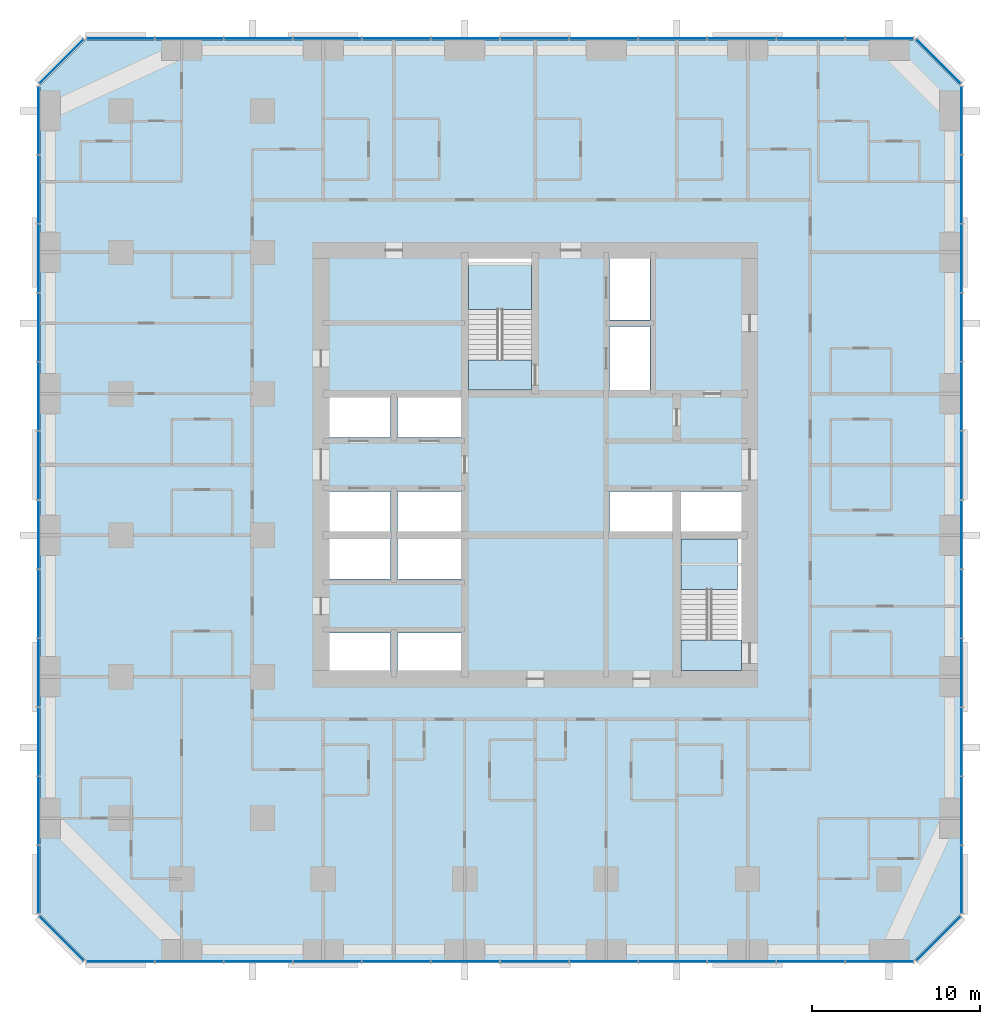
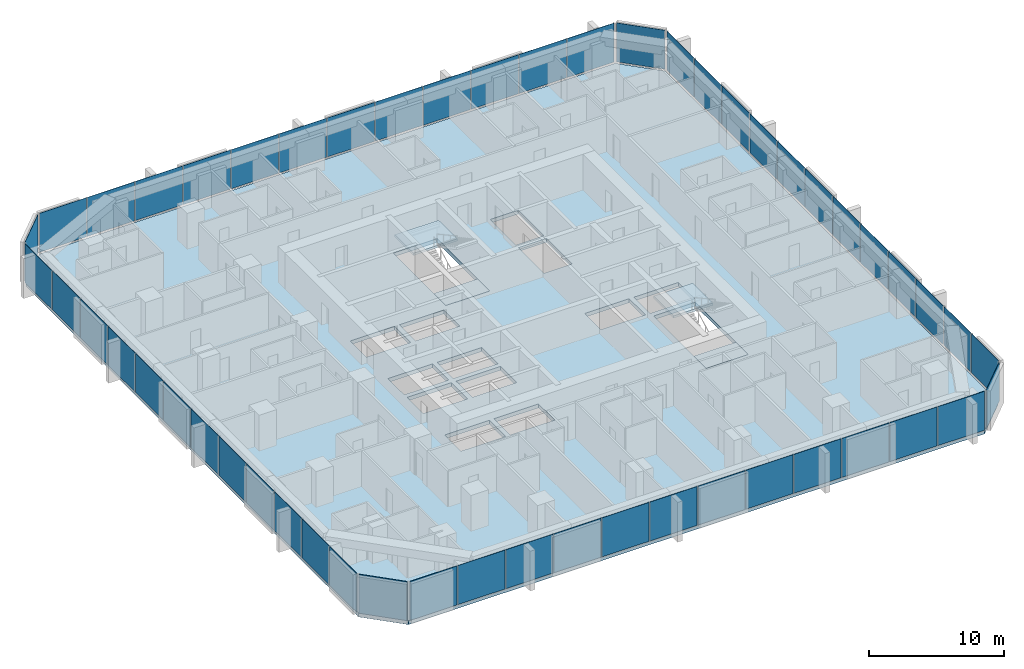
# One storey, part 7 of 14: 52 plates, 5 slabs, 10 elements without a shape of their own.
"""IFC4 building model written with IfcOpenShell, lengths in metres."""

from ifc_helpers import new_model, si_unit, direction, frame, origin, origin_2d, place, context, subcontext, project, spatial, polyline, rectangle, outline, extrude, material, layer, layer_set, type_object, element, aggregate, save


model = new_model("IFC4")

# Units and contexts
model_context = context("Model", 3, precision=1e-05, world=origin(), true_north=direction((0.0, 1.0)))
body_context = subcontext(model_context, "Body", "Model", "MODEL_VIEW")
ifc_project = project(units=[si_unit("LENGTHUNIT", "METRE"), si_unit("AREAUNIT", "SQUARE_METRE"), si_unit("VOLUMEUNIT", "CUBIC_METRE"), si_unit("PLANEANGLEUNIT", "RADIAN"), si_unit("MASSUNIT", "GRAM", prefix="KILO")], contexts=[model_context])

# Site, building, storey
site_placement = place(None, origin())
site = spatial("IfcSite", under=ifc_project, at=site_placement, CompositionType="ELEMENT")
building_placement = place(site_placement, origin())
building = spatial("IfcBuilding", under=site, at=building_placement, Name="Dunama Terrace Hotel", CompositionType="ELEMENT")
storey_placement = place(building_placement, frame((0.0, 0.0, 133.199951171875)))
storey = spatial("IfcBuildingStorey", under=building, at=storey_placement, Name="L34", CompositionType="ELEMENT", Elevation=133.199951171875)

# Curtain wall, plates
ifc_material_1 = material(Name="Aluminium curtain wall system", Category="aluminium")
curtain_wall_type = type_object("IfcCurtainWallType", Name="Unitised fritted glass wall CW-B", PredefinedType="NOTDEFINED", material=ifc_material_1)
curtain_wall_1_placement = place(storey_placement, origin())
curtain_wall_1 = element("IfcCurtainWall", 1, at=curtain_wall_1_placement, inside=storey, type_object=curtain_wall_type, Name="Unitised fritted glass wall CW-B L34", PredefinedType="NOTDEFINED")
ifc_material_2 = material(Name="Laminated glass", Category="glass")
ifc_layer_1 = layer(ifc_material_2, 0.030029296875)
ifc_layer_set_1 = layer_set([ifc_layer_1], Name="CWB clear glass panel")
plate_type_1 = type_object("IfcPlateType", Name="CWB clear glass panel", PredefinedType="CURTAIN_PANEL", material=ifc_layer_set_1)
plate_1_placement = place(storey_placement, frame((8.85009765625, -0.110107421875, 0.080078125), z_axis=(0.0, 0.0, 1.0), x_axis=(1.0, 0.0, 0.0)))
plate_1 = element("IfcPlate", 2, at=plate_1_placement, type_object=plate_type_1, Name="CWB clear glass panel", PredefinedType="CURTAIN_PANEL", context=body_context, shape_type="SweptSolid", body=[
    extrude(rectangle(XDim=4.034912109375, YDim=0.030029296875, at=origin_2d()), origin(), (0.0, 0.0, 1.0), 3.52001953125),
])
plate_2_placement = place(storey_placement, frame((21.14990234375, -0.110107421875, 0.080078125), z_axis=(0.0, 0.0, 1.0), x_axis=(1.0, 0.0, 0.0)))
plate_2 = element("IfcPlate", 3, at=plate_2_placement, type_object=plate_type_1, Name="CWB clear glass panel", PredefinedType="CURTAIN_PANEL", context=body_context, shape_type="SweptSolid", body=[
    extrude(rectangle(XDim=4.034912109375, YDim=0.030029296875, at=origin_2d()), origin(), (0.0, 0.0, 1.0), 3.52001953125),
])
plate_3_placement = place(storey_placement, frame((33.449951171875, -0.110107421875, 0.080078125), z_axis=(0.0, 0.0, 1.0), x_axis=(1.0, 0.0, 0.0)))
plate_3 = element("IfcPlate", 4, at=plate_3_placement, type_object=plate_type_1, Name="CWB clear glass panel", PredefinedType="CURTAIN_PANEL", context=body_context, shape_type="SweptSolid", body=[
    extrude(rectangle(XDim=4.034912109375, YDim=0.030029296875, at=origin_2d()), origin(), (0.0, 0.0, 1.0), 3.52001953125),
])
plate_4_placement = place(storey_placement, frame((45.75, -0.110107421875, 0.080078125), z_axis=(0.0, 0.0, 1.0), x_axis=(1.0, 0.0, 0.0)))
plate_4 = element("IfcPlate", 5, at=plate_4_placement, type_object=plate_type_1, Name="CWB clear glass panel", PredefinedType="CURTAIN_PANEL", context=body_context, shape_type="SweptSolid", body=[
    extrude(rectangle(XDim=4.034912109375, YDim=0.030029296875, at=origin_2d()), origin(), (0.0, 0.0, 1.0), 3.52001953125),
])

curtain_wall_2_placement = place(storey_placement, origin())
curtain_wall_2 = element("IfcCurtainWall", 6, at=curtain_wall_2_placement, inside=storey, type_object=curtain_wall_type, Name="Unitised fritted glass wall CW-B L34", PredefinedType="NOTDEFINED")
plate_5_placement = place(storey_placement, frame((54.7099609375, 4.76611328125, 0.080078125), z_axis=(0.0, 0.0, 1.0), x_axis=(0.0, 1.0, 0.0)))
plate_5 = element("IfcPlate", 7, at=plate_5_placement, type_object=plate_type_1, Name="CWB clear glass panel", PredefinedType="CURTAIN_PANEL", context=body_context, shape_type="SweptSolid", body=[
    extrude(rectangle(XDim=4.00244140625, YDim=0.030029296875, at=origin_2d()), origin(), (0.0, 0.0, 1.0), 3.52001953125),
])
plate_6_placement = place(storey_placement, frame((54.7099609375, 17.050048828125, 0.080078125), z_axis=(0.0, 0.0, 1.0), x_axis=(0.0, 1.0, 0.0)))
plate_6 = element("IfcPlate", 8, at=plate_6_placement, type_object=plate_type_1, Name="CWB clear glass panel", PredefinedType="CURTAIN_PANEL", context=body_context, shape_type="SweptSolid", body=[
    extrude(rectangle(XDim=4.034912109375, YDim=0.030029296875, at=origin_2d()), origin(), (0.0, 0.0, 1.0), 3.52001953125),
])
plate_7_placement = place(storey_placement, frame((54.7099609375, 29.35009765625, 0.080078125), z_axis=(0.0, 0.0, 1.0), x_axis=(0.0, 1.0, 0.0)))
plate_7 = element("IfcPlate", 9, at=plate_7_placement, type_object=plate_type_1, Name="CWB clear glass panel", PredefinedType="CURTAIN_PANEL", context=body_context, shape_type="SweptSolid", body=[
    extrude(rectangle(XDim=4.034912109375, YDim=0.030029296875, at=origin_2d()), origin(), (0.0, 0.0, 1.0), 3.52001953125),
])
plate_8_placement = place(storey_placement, frame((54.7099609375, 41.64990234375, 0.080078125), z_axis=(0.0, 0.0, 1.0), x_axis=(0.0, 1.0, 0.0)))
plate_8 = element("IfcPlate", 10, at=plate_8_placement, type_object=plate_type_1, Name="CWB clear glass panel", PredefinedType="CURTAIN_PANEL", context=body_context, shape_type="SweptSolid", body=[
    extrude(rectangle(XDim=4.034912109375, YDim=0.030029296875, at=origin_2d()), origin(), (0.0, 0.0, 1.0), 3.52001953125),
])

# Curtain wall, plate
curtain_wall_3_placement = place(storey_placement, origin())
curtain_wall_3 = element("IfcCurtainWall", 11, at=curtain_wall_3_placement, inside=storey, type_object=curtain_wall_type, Name="Unitised fritted glass wall CW-B L34", PredefinedType="NOTDEFINED")
plate_9_placement = place(storey_placement, frame((53.327880859375, 53.327880859375, 0.080078125), z_axis=(0.0, 0.0, 1.0), x_axis=(-0.707106781187, 0.707106781187, 0.0)))
plate_9 = element("IfcPlate", 12, at=plate_9_placement, type_object=plate_type_1, Name="CWB clear glass panel", PredefinedType="CURTAIN_PANEL", context=body_context, shape_type="SweptSolid", body=[
    extrude(rectangle(XDim=3.6884765625, YDim=0.030029296875, at=origin_2d()), origin(), (0.0, 0.0, 1.0), 3.52001953125),
])
aggregate(curtain_wall_3, [plate_9])

# Curtain wall, plates
curtain_wall_4_placement = place(storey_placement, origin())
curtain_wall_4 = element("IfcCurtainWall", 13, at=curtain_wall_4_placement, inside=storey, type_object=curtain_wall_type, Name="Unitised fritted glass wall CW-B L34", PredefinedType="NOTDEFINED")
plate_10_placement = place(storey_placement, frame((41.64990234375, 54.7099609375, 0.080078125), z_axis=(0.0, 0.0, 1.0), x_axis=(-1.0, 0.0, 0.0)))
plate_10 = element("IfcPlate", 14, at=plate_10_placement, type_object=plate_type_1, Name="CWB clear glass panel", PredefinedType="CURTAIN_PANEL", context=body_context, shape_type="SweptSolid", body=[
    extrude(rectangle(XDim=4.034912109375, YDim=0.030029296875, at=origin_2d()), origin(), (0.0, 0.0, 1.0), 3.52001953125),
])
plate_11_placement = place(storey_placement, frame((29.35009765625, 54.7099609375, 0.080078125), z_axis=(0.0, 0.0, 1.0), x_axis=(-1.0, 0.0, 0.0)))
plate_11 = element("IfcPlate", 15, at=plate_11_placement, type_object=plate_type_1, Name="CWB clear glass panel", PredefinedType="CURTAIN_PANEL", context=body_context, shape_type="SweptSolid", body=[
    extrude(rectangle(XDim=4.034912109375, YDim=0.030029296875, at=origin_2d()), origin(), (0.0, 0.0, 1.0), 3.52001953125),
])
plate_12_placement = place(storey_placement, frame((17.050048828125, 54.7099609375, 0.080078125), z_axis=(0.0, 0.0, 1.0), x_axis=(-1.0, 0.0, 0.0)))
plate_12 = element("IfcPlate", 16, at=plate_12_placement, type_object=plate_type_1, Name="CWB clear glass panel", PredefinedType="CURTAIN_PANEL", context=body_context, shape_type="SweptSolid", body=[
    extrude(rectangle(XDim=4.034912109375, YDim=0.030029296875, at=origin_2d()), origin(), (0.0, 0.0, 1.0), 3.52001953125),
])
plate_13_placement = place(storey_placement, frame((4.76611328125, 54.7099609375, 0.080078125), z_axis=(0.0, 0.0, 1.0), x_axis=(-1.0, 0.0, 0.0)))
plate_13 = element("IfcPlate", 17, at=plate_13_placement, type_object=plate_type_1, Name="CWB clear glass panel", PredefinedType="CURTAIN_PANEL", context=body_context, shape_type="SweptSolid", body=[
    extrude(rectangle(XDim=4.00244140625, YDim=0.030029296875, at=origin_2d()), origin(), (0.0, 0.0, 1.0), 3.52001953125),
])

curtain_wall_5_placement = place(storey_placement, origin())
curtain_wall_5 = element("IfcCurtainWall", 18, at=curtain_wall_5_placement, inside=storey, type_object=curtain_wall_type, Name="Unitised fritted glass wall CW-B L34", PredefinedType="NOTDEFINED")
plate_14_placement = place(storey_placement, frame((-0.110107421875, 45.75, 0.080078125), z_axis=(0.0, 0.0, 1.0), x_axis=(0.0, -1.0, 0.0)))
plate_14 = element("IfcPlate", 19, at=plate_14_placement, type_object=plate_type_1, Name="CWB clear glass panel", PredefinedType="CURTAIN_PANEL", context=body_context, shape_type="SweptSolid", body=[
    extrude(rectangle(XDim=4.034912109375, YDim=0.030029296875, at=origin_2d()), origin(), (0.0, 0.0, 1.0), 3.52001953125),
])
plate_15_placement = place(storey_placement, frame((-0.110107421875, 33.449951171875, 0.080078125), z_axis=(0.0, 0.0, 1.0), x_axis=(0.0, -1.0, 0.0)))
plate_15 = element("IfcPlate", 20, at=plate_15_placement, type_object=plate_type_1, Name="CWB clear glass panel", PredefinedType="CURTAIN_PANEL", context=body_context, shape_type="SweptSolid", body=[
    extrude(rectangle(XDim=4.034912109375, YDim=0.030029296875, at=origin_2d()), origin(), (0.0, 0.0, 1.0), 3.52001953125),
])
plate_16_placement = place(storey_placement, frame((-0.110107421875, 21.14990234375, 0.080078125), z_axis=(0.0, 0.0, 1.0), x_axis=(0.0, -1.0, 0.0)))
plate_16 = element("IfcPlate", 21, at=plate_16_placement, type_object=plate_type_1, Name="CWB clear glass panel", PredefinedType="CURTAIN_PANEL", context=body_context, shape_type="SweptSolid", body=[
    extrude(rectangle(XDim=4.034912109375, YDim=0.030029296875, at=origin_2d()), origin(), (0.0, 0.0, 1.0), 3.52001953125),
])
plate_17_placement = place(storey_placement, frame((-0.110107421875, 8.85009765625, 0.080078125), z_axis=(0.0, 0.0, 1.0), x_axis=(0.0, -1.0, 0.0)))
plate_17 = element("IfcPlate", 22, at=plate_17_placement, type_object=plate_type_1, Name="CWB clear glass panel", PredefinedType="CURTAIN_PANEL", context=body_context, shape_type="SweptSolid", body=[
    extrude(rectangle(XDim=4.034912109375, YDim=0.030029296875, at=origin_2d()), origin(), (0.0, 0.0, 1.0), 3.52001953125),
])

# Plate
ifc_material_3 = material(Name="Fritted laminated glass", Category="glass")
ifc_layer_2 = layer(ifc_material_3, 0.030029296875)
ifc_layer_set_2 = layer_set([ifc_layer_2], Name="CWB fritted glass panel")
plate_type_2 = type_object("IfcPlateType", Name="CWB fritted glass panel", PredefinedType="CURTAIN_PANEL", material=ifc_layer_set_2)
plate_18_placement = place(storey_placement, frame((4.76611328125, -0.110107421875, 0.080078125), z_axis=(0.0, 0.0, 1.0), x_axis=(1.0, 0.0, 0.0)))
plate_18 = element("IfcPlate", 23, at=plate_18_placement, type_object=plate_type_2, Name="CWB fritted glass panel", PredefinedType="CURTAIN_PANEL", context=body_context, shape_type="SweptSolid", body=[
    extrude(rectangle(XDim=4.00244140625, YDim=0.030029296875, at=origin_2d()), origin(), (0.0, 0.0, 1.0), 3.52001953125),
])

plate_19_placement = place(storey_placement, frame((17.050048828125, -0.110107421875, 0.080078125), z_axis=(0.0, 0.0, 1.0), x_axis=(1.0, 0.0, 0.0)))
plate_19 = element("IfcPlate", 24, at=plate_19_placement, type_object=plate_type_2, Name="CWB fritted glass panel", PredefinedType="CURTAIN_PANEL", context=body_context, shape_type="SweptSolid", body=[
    extrude(rectangle(XDim=4.034912109375, YDim=0.030029296875, at=origin_2d()), origin(), (0.0, 0.0, 1.0), 3.52001953125),
])

plate_20_placement = place(storey_placement, frame((29.35009765625, -0.110107421875, 0.080078125), z_axis=(0.0, 0.0, 1.0), x_axis=(1.0, 0.0, 0.0)))
plate_20 = element("IfcPlate", 25, at=plate_20_placement, type_object=plate_type_2, Name="CWB fritted glass panel", PredefinedType="CURTAIN_PANEL", context=body_context, shape_type="SweptSolid", body=[
    extrude(rectangle(XDim=4.034912109375, YDim=0.030029296875, at=origin_2d()), origin(), (0.0, 0.0, 1.0), 3.52001953125),
])

plate_21_placement = place(storey_placement, frame((41.64990234375, -0.110107421875, 0.080078125), z_axis=(0.0, 0.0, 1.0), x_axis=(1.0, 0.0, 0.0)))
plate_21 = element("IfcPlate", 26, at=plate_21_placement, type_object=plate_type_2, Name="CWB fritted glass panel", PredefinedType="CURTAIN_PANEL", context=body_context, shape_type="SweptSolid", body=[
    extrude(rectangle(XDim=4.034912109375, YDim=0.030029296875, at=origin_2d()), origin(), (0.0, 0.0, 1.0), 3.52001953125),
])

# Curtain wall, plate
curtain_wall_6_placement = place(storey_placement, origin())
curtain_wall_6 = element("IfcCurtainWall", 27, at=curtain_wall_6_placement, inside=storey, type_object=curtain_wall_type, Name="Unitised fritted glass wall CW-B L34", PredefinedType="NOTDEFINED")
plate_22_placement = place(storey_placement, frame((53.327880859375, 1.27197265625, 0.080078125), z_axis=(0.0, 0.0, 1.0), x_axis=(0.707106781187, 0.707106781187, 0.0)))
plate_22 = element("IfcPlate", 28, at=plate_22_placement, type_object=plate_type_2, Name="CWB fritted glass panel", PredefinedType="CURTAIN_PANEL", context=body_context, shape_type="SweptSolid", body=[
    extrude(rectangle(XDim=3.6884765625, YDim=0.030029296875, at=origin_2d()), origin(), (0.0, 0.0, 1.0), 3.52001953125),
])
aggregate(curtain_wall_6, [plate_22])

# Plate
plate_23_placement = place(storey_placement, frame((54.7099609375, 12.949951171875, 0.080078125), z_axis=(0.0, 0.0, 1.0), x_axis=(0.0, 1.0, 0.0)))
plate_23 = element("IfcPlate", 29, at=plate_23_placement, type_object=plate_type_2, Name="CWB fritted glass panel", PredefinedType="CURTAIN_PANEL", context=body_context, shape_type="SweptSolid", body=[
    extrude(rectangle(XDim=4.034912109375, YDim=0.030029296875, at=origin_2d()), origin(), (0.0, 0.0, 1.0), 3.52001953125),
])

plate_24_placement = place(storey_placement, frame((54.7099609375, 25.25, 0.080078125), z_axis=(0.0, 0.0, 1.0), x_axis=(0.0, 1.0, 0.0)))
plate_24 = element("IfcPlate", 30, at=plate_24_placement, type_object=plate_type_2, Name="CWB fritted glass panel", PredefinedType="CURTAIN_PANEL", context=body_context, shape_type="SweptSolid", body=[
    extrude(rectangle(XDim=4.034912109375, YDim=0.030029296875, at=origin_2d()), origin(), (0.0, 0.0, 1.0), 3.52001953125),
])

plate_25_placement = place(storey_placement, frame((54.7099609375, 37.550048828125, 0.080078125), z_axis=(0.0, 0.0, 1.0), x_axis=(0.0, 1.0, 0.0)))
plate_25 = element("IfcPlate", 31, at=plate_25_placement, type_object=plate_type_2, Name="CWB fritted glass panel", PredefinedType="CURTAIN_PANEL", context=body_context, shape_type="SweptSolid", body=[
    extrude(rectangle(XDim=4.034912109375, YDim=0.030029296875, at=origin_2d()), origin(), (0.0, 0.0, 1.0), 3.52001953125),
])

plate_26_placement = place(storey_placement, frame((54.7099609375, 49.833984375, 0.080078125), z_axis=(0.0, 0.0, 1.0), x_axis=(0.0, 1.0, 0.0)))
plate_26 = element("IfcPlate", 32, at=plate_26_placement, type_object=plate_type_2, Name="CWB fritted glass panel", PredefinedType="CURTAIN_PANEL", context=body_context, shape_type="SweptSolid", body=[
    extrude(rectangle(XDim=4.00244140625, YDim=0.030029296875, at=origin_2d()), origin(), (0.0, 0.0, 1.0), 3.52001953125),
])

plate_27_placement = place(storey_placement, frame((45.75, 54.7099609375, 0.080078125), z_axis=(0.0, 0.0, 1.0), x_axis=(-1.0, 0.0, 0.0)))
plate_27 = element("IfcPlate", 33, at=plate_27_placement, type_object=plate_type_2, Name="CWB fritted glass panel", PredefinedType="CURTAIN_PANEL", context=body_context, shape_type="SweptSolid", body=[
    extrude(rectangle(XDim=4.034912109375, YDim=0.030029296875, at=origin_2d()), origin(), (0.0, 0.0, 1.0), 3.52001953125),
])

plate_28_placement = place(storey_placement, frame((33.449951171875, 54.7099609375, 0.080078125), z_axis=(0.0, 0.0, 1.0), x_axis=(-1.0, 0.0, 0.0)))
plate_28 = element("IfcPlate", 34, at=plate_28_placement, type_object=plate_type_2, Name="CWB fritted glass panel", PredefinedType="CURTAIN_PANEL", context=body_context, shape_type="SweptSolid", body=[
    extrude(rectangle(XDim=4.034912109375, YDim=0.030029296875, at=origin_2d()), origin(), (0.0, 0.0, 1.0), 3.52001953125),
])

plate_29_placement = place(storey_placement, frame((21.14990234375, 54.7099609375, 0.080078125), z_axis=(0.0, 0.0, 1.0), x_axis=(-1.0, 0.0, 0.0)))
plate_29 = element("IfcPlate", 35, at=plate_29_placement, type_object=plate_type_2, Name="CWB fritted glass panel", PredefinedType="CURTAIN_PANEL", context=body_context, shape_type="SweptSolid", body=[
    extrude(rectangle(XDim=4.034912109375, YDim=0.030029296875, at=origin_2d()), origin(), (0.0, 0.0, 1.0), 3.52001953125),
])

plate_30_placement = place(storey_placement, frame((8.85009765625, 54.7099609375, 0.080078125), z_axis=(0.0, 0.0, 1.0), x_axis=(-1.0, 0.0, 0.0)))
plate_30 = element("IfcPlate", 36, at=plate_30_placement, type_object=plate_type_2, Name="CWB fritted glass panel", PredefinedType="CURTAIN_PANEL", context=body_context, shape_type="SweptSolid", body=[
    extrude(rectangle(XDim=4.034912109375, YDim=0.030029296875, at=origin_2d()), origin(), (0.0, 0.0, 1.0), 3.52001953125),
])

plate_31_placement = place(storey_placement, frame((-0.110107421875, 49.833984375, 0.080078125), z_axis=(0.0, 0.0, 1.0), x_axis=(0.0, -1.0, 0.0)))
plate_31 = element("IfcPlate", 37, at=plate_31_placement, type_object=plate_type_2, Name="CWB fritted glass panel", PredefinedType="CURTAIN_PANEL", context=body_context, shape_type="SweptSolid", body=[
    extrude(rectangle(XDim=4.00244140625, YDim=0.030029296875, at=origin_2d()), origin(), (0.0, 0.0, 1.0), 3.52001953125),
])

plate_32_placement = place(storey_placement, frame((-0.110107421875, 37.550048828125, 0.080078125), z_axis=(0.0, 0.0, 1.0), x_axis=(0.0, -1.0, 0.0)))
plate_32 = element("IfcPlate", 38, at=plate_32_placement, type_object=plate_type_2, Name="CWB fritted glass panel", PredefinedType="CURTAIN_PANEL", context=body_context, shape_type="SweptSolid", body=[
    extrude(rectangle(XDim=4.034912109375, YDim=0.030029296875, at=origin_2d()), origin(), (0.0, 0.0, 1.0), 3.52001953125),
])

plate_33_placement = place(storey_placement, frame((-0.110107421875, 25.25, 0.080078125), z_axis=(0.0, 0.0, 1.0), x_axis=(0.0, -1.0, 0.0)))
plate_33 = element("IfcPlate", 39, at=plate_33_placement, type_object=plate_type_2, Name="CWB fritted glass panel", PredefinedType="CURTAIN_PANEL", context=body_context, shape_type="SweptSolid", body=[
    extrude(rectangle(XDim=4.034912109375, YDim=0.030029296875, at=origin_2d()), origin(), (0.0, 0.0, 1.0), 3.52001953125),
])

plate_34_placement = place(storey_placement, frame((-0.110107421875, 12.949951171875, 0.080078125), z_axis=(0.0, 0.0, 1.0), x_axis=(0.0, -1.0, 0.0)))
plate_34 = element("IfcPlate", 40, at=plate_34_placement, type_object=plate_type_2, Name="CWB fritted glass panel", PredefinedType="CURTAIN_PANEL", context=body_context, shape_type="SweptSolid", body=[
    extrude(rectangle(XDim=4.034912109375, YDim=0.030029296875, at=origin_2d()), origin(), (0.0, 0.0, 1.0), 3.52001953125),
])

# Curtain wall, plate
curtain_wall_7_placement = place(storey_placement, origin())
curtain_wall_7 = element("IfcCurtainWall", 41, at=curtain_wall_7_placement, inside=storey, type_object=curtain_wall_type, Name="Unitised fritted glass wall CW-B L34", PredefinedType="NOTDEFINED")
plate_35_placement = place(storey_placement, frame((1.27197265625, 1.27197265625, 0.080078125), z_axis=(0.0, 0.0, 1.0), x_axis=(0.707106781187, -0.707106781187, 0.0)))
plate_35 = element("IfcPlate", 42, at=plate_35_placement, type_object=plate_type_2, Name="CWB fritted glass panel", PredefinedType="CURTAIN_PANEL", context=body_context, shape_type="SweptSolid", body=[
    extrude(rectangle(XDim=3.6884765625, YDim=0.030029296875, at=origin_2d()), origin(), (0.0, 0.0, 1.0), 3.52001953125),
])
aggregate(curtain_wall_7, [plate_35])

# Plate
ifc_material_4 = material(Name="Laminated glass", Category="glass")
ifc_layer_3 = layer(ifc_material_4, 0.030029296875)
ifc_layer_set_3 = layer_set([ifc_layer_3], Name="CWB operable glass panel")
plate_type_3 = type_object("IfcPlateType", Name="CWB operable glass panel", PredefinedType="CURTAIN_PANEL", material=ifc_layer_set_3)
plate_36_placement = place(storey_placement, frame((12.949951171875, -0.110107421875, 0.080078125), z_axis=(0.0, 0.0, 1.0), x_axis=(1.0, 0.0, 0.0)))
plate_36 = element("IfcPlate", 43, at=plate_36_placement, type_object=plate_type_3, Name="CWB operable glass panel", PredefinedType="CURTAIN_PANEL", context=body_context, shape_type="SweptSolid", body=[
    extrude(rectangle(XDim=4.034912109375, YDim=0.030029296875, at=origin_2d()), origin(), (0.0, 0.0, 1.0), 3.52001953125),
])

plate_37_placement = place(storey_placement, frame((25.25, -0.110107421875, 0.080078125), z_axis=(0.0, 0.0, 1.0), x_axis=(1.0, 0.0, 0.0)))
plate_37 = element("IfcPlate", 44, at=plate_37_placement, type_object=plate_type_3, Name="CWB operable glass panel", PredefinedType="CURTAIN_PANEL", context=body_context, shape_type="SweptSolid", body=[
    extrude(rectangle(XDim=4.034912109375, YDim=0.030029296875, at=origin_2d()), origin(), (0.0, 0.0, 1.0), 3.52001953125),
])

plate_38_placement = place(storey_placement, frame((37.550048828125, -0.110107421875, 0.080078125), z_axis=(0.0, 0.0, 1.0), x_axis=(1.0, 0.0, 0.0)))
plate_38 = element("IfcPlate", 45, at=plate_38_placement, type_object=plate_type_3, Name="CWB operable glass panel", PredefinedType="CURTAIN_PANEL", context=body_context, shape_type="SweptSolid", body=[
    extrude(rectangle(XDim=4.034912109375, YDim=0.030029296875, at=origin_2d()), origin(), (0.0, 0.0, 1.0), 3.52001953125),
])

plate_39_placement = place(storey_placement, frame((49.833984375, -0.110107421875, 0.080078125), z_axis=(0.0, 0.0, 1.0), x_axis=(1.0, 0.0, 0.0)))
plate_39 = element("IfcPlate", 46, at=plate_39_placement, type_object=plate_type_3, Name="CWB operable glass panel", PredefinedType="CURTAIN_PANEL", context=body_context, shape_type="SweptSolid", body=[
    extrude(rectangle(XDim=4.00244140625, YDim=0.030029296875, at=origin_2d()), origin(), (0.0, 0.0, 1.0), 3.52001953125),
])

aggregate(curtain_wall_1, [plate_18, plate_1, plate_36, plate_19, plate_2, plate_37, plate_20, plate_3, plate_38, plate_21, plate_4, plate_39])

plate_40_placement = place(storey_placement, frame((54.7099609375, 8.85009765625, 0.080078125), z_axis=(0.0, 0.0, 1.0), x_axis=(0.0, 1.0, 0.0)))
plate_40 = element("IfcPlate", 47, at=plate_40_placement, type_object=plate_type_3, Name="CWB operable glass panel", PredefinedType="CURTAIN_PANEL", context=body_context, shape_type="SweptSolid", body=[
    extrude(rectangle(XDim=4.034912109375, YDim=0.030029296875, at=origin_2d()), origin(), (0.0, 0.0, 1.0), 3.52001953125),
])

plate_41_placement = place(storey_placement, frame((54.7099609375, 21.14990234375, 0.080078125), z_axis=(0.0, 0.0, 1.0), x_axis=(0.0, 1.0, 0.0)))
plate_41 = element("IfcPlate", 48, at=plate_41_placement, type_object=plate_type_3, Name="CWB operable glass panel", PredefinedType="CURTAIN_PANEL", context=body_context, shape_type="SweptSolid", body=[
    extrude(rectangle(XDim=4.034912109375, YDim=0.030029296875, at=origin_2d()), origin(), (0.0, 0.0, 1.0), 3.52001953125),
])

plate_42_placement = place(storey_placement, frame((54.7099609375, 33.449951171875, 0.080078125), z_axis=(0.0, 0.0, 1.0), x_axis=(0.0, 1.0, 0.0)))
plate_42 = element("IfcPlate", 49, at=plate_42_placement, type_object=plate_type_3, Name="CWB operable glass panel", PredefinedType="CURTAIN_PANEL", context=body_context, shape_type="SweptSolid", body=[
    extrude(rectangle(XDim=4.034912109375, YDim=0.030029296875, at=origin_2d()), origin(), (0.0, 0.0, 1.0), 3.52001953125),
])

plate_43_placement = place(storey_placement, frame((54.7099609375, 45.75, 0.080078125), z_axis=(0.0, 0.0, 1.0), x_axis=(0.0, 1.0, 0.0)))
plate_43 = element("IfcPlate", 50, at=plate_43_placement, type_object=plate_type_3, Name="CWB operable glass panel", PredefinedType="CURTAIN_PANEL", context=body_context, shape_type="SweptSolid", body=[
    extrude(rectangle(XDim=4.034912109375, YDim=0.030029296875, at=origin_2d()), origin(), (0.0, 0.0, 1.0), 3.52001953125),
])

aggregate(curtain_wall_2, [plate_5, plate_40, plate_23, plate_6, plate_41, plate_24, plate_7, plate_42, plate_25, plate_8, plate_43, plate_26])

plate_44_placement = place(storey_placement, frame((49.833984375, 54.7099609375, 0.080078125), z_axis=(0.0, 0.0, 1.0), x_axis=(-1.0, 0.0, 0.0)))
plate_44 = element("IfcPlate", 51, at=plate_44_placement, type_object=plate_type_3, Name="CWB operable glass panel", PredefinedType="CURTAIN_PANEL", context=body_context, shape_type="SweptSolid", body=[
    extrude(rectangle(XDim=4.00244140625, YDim=0.030029296875, at=origin_2d()), origin(), (0.0, 0.0, 1.0), 3.52001953125),
])

plate_45_placement = place(storey_placement, frame((37.550048828125, 54.7099609375, 0.080078125), z_axis=(0.0, 0.0, 1.0), x_axis=(-1.0, 0.0, 0.0)))
plate_45 = element("IfcPlate", 52, at=plate_45_placement, type_object=plate_type_3, Name="CWB operable glass panel", PredefinedType="CURTAIN_PANEL", context=body_context, shape_type="SweptSolid", body=[
    extrude(rectangle(XDim=4.034912109375, YDim=0.030029296875, at=origin_2d()), origin(), (0.0, 0.0, 1.0), 3.52001953125),
])

plate_46_placement = place(storey_placement, frame((25.25, 54.7099609375, 0.080078125), z_axis=(0.0, 0.0, 1.0), x_axis=(-1.0, 0.0, 0.0)))
plate_46 = element("IfcPlate", 53, at=plate_46_placement, type_object=plate_type_3, Name="CWB operable glass panel", PredefinedType="CURTAIN_PANEL", context=body_context, shape_type="SweptSolid", body=[
    extrude(rectangle(XDim=4.034912109375, YDim=0.030029296875, at=origin_2d()), origin(), (0.0, 0.0, 1.0), 3.52001953125),
])

plate_47_placement = place(storey_placement, frame((12.949951171875, 54.7099609375, 0.080078125), z_axis=(0.0, 0.0, 1.0), x_axis=(-1.0, 0.0, 0.0)))
plate_47 = element("IfcPlate", 54, at=plate_47_placement, type_object=plate_type_3, Name="CWB operable glass panel", PredefinedType="CURTAIN_PANEL", context=body_context, shape_type="SweptSolid", body=[
    extrude(rectangle(XDim=4.034912109375, YDim=0.030029296875, at=origin_2d()), origin(), (0.0, 0.0, 1.0), 3.52001953125),
])

aggregate(curtain_wall_4, [plate_44, plate_27, plate_10, plate_45, plate_28, plate_11, plate_46, plate_29, plate_12, plate_47, plate_30, plate_13])

# Curtain wall, plate
curtain_wall_8_placement = place(storey_placement, origin())
curtain_wall_8 = element("IfcCurtainWall", 55, at=curtain_wall_8_placement, inside=storey, type_object=curtain_wall_type, Name="Unitised fritted glass wall CW-B L34", PredefinedType="NOTDEFINED")
plate_48_placement = place(storey_placement, frame((1.27197265625, 53.327880859375, 0.080078125), z_axis=(0.0, 0.0, 1.0), x_axis=(-0.707106781187, -0.707106781187, 0.0)))
plate_48 = element("IfcPlate", 56, at=plate_48_placement, type_object=plate_type_3, Name="CWB operable glass panel", PredefinedType="CURTAIN_PANEL", context=body_context, shape_type="SweptSolid", body=[
    extrude(rectangle(XDim=3.6884765625, YDim=0.030029296875, at=origin_2d()), origin(), (0.0, 0.0, 1.0), 3.52001953125),
])
aggregate(curtain_wall_8, [plate_48])

# Plate
plate_49_placement = place(storey_placement, frame((-0.110107421875, 41.64990234375, 0.080078125), z_axis=(0.0, 0.0, 1.0), x_axis=(0.0, -1.0, 0.0)))
plate_49 = element("IfcPlate", 57, at=plate_49_placement, type_object=plate_type_3, Name="CWB operable glass panel", PredefinedType="CURTAIN_PANEL", context=body_context, shape_type="SweptSolid", body=[
    extrude(rectangle(XDim=4.034912109375, YDim=0.030029296875, at=origin_2d()), origin(), (0.0, 0.0, 1.0), 3.52001953125),
])

plate_50_placement = place(storey_placement, frame((-0.110107421875, 29.35009765625, 0.080078125), z_axis=(0.0, 0.0, 1.0), x_axis=(0.0, -1.0, 0.0)))
plate_50 = element("IfcPlate", 58, at=plate_50_placement, type_object=plate_type_3, Name="CWB operable glass panel", PredefinedType="CURTAIN_PANEL", context=body_context, shape_type="SweptSolid", body=[
    extrude(rectangle(XDim=4.034912109375, YDim=0.030029296875, at=origin_2d()), origin(), (0.0, 0.0, 1.0), 3.52001953125),
])

plate_51_placement = place(storey_placement, frame((-0.110107421875, 17.050048828125, 0.080078125), z_axis=(0.0, 0.0, 1.0), x_axis=(0.0, -1.0, 0.0)))
plate_51 = element("IfcPlate", 59, at=plate_51_placement, type_object=plate_type_3, Name="CWB operable glass panel", PredefinedType="CURTAIN_PANEL", context=body_context, shape_type="SweptSolid", body=[
    extrude(rectangle(XDim=4.034912109375, YDim=0.030029296875, at=origin_2d()), origin(), (0.0, 0.0, 1.0), 3.52001953125),
])

plate_52_placement = place(storey_placement, frame((-0.110107421875, 4.76611328125, 0.080078125), z_axis=(0.0, 0.0, 1.0), x_axis=(0.0, -1.0, 0.0)))
plate_52 = element("IfcPlate", 60, at=plate_52_placement, type_object=plate_type_3, Name="CWB operable glass panel", PredefinedType="CURTAIN_PANEL", context=body_context, shape_type="SweptSolid", body=[
    extrude(rectangle(XDim=4.00244140625, YDim=0.030029296875, at=origin_2d()), origin(), (0.0, 0.0, 1.0), 3.52001953125),
])

aggregate(curtain_wall_5, [plate_31, plate_14, plate_49, plate_32, plate_15, plate_50, plate_33, plate_16, plate_51, plate_34, plate_17, plate_52])

# Slab
ifc_material_5 = material(Name="Concrete C40/50", Category="concrete")
ifc_layer_4 = layer(ifc_material_5, 0.35009765625)
ifc_layer_set_4 = layer_set([ifc_layer_4], Name="Flat plate 350")
slab_type_1 = type_object("IfcSlabType", Name="Flat plate 350", PredefinedType="FLOOR", material=ifc_layer_set_4)
slab_1_placement = place(storey_placement, frame((0.0, 0.0, -0.349853515625)))
element("IfcSlab", 61, at=slab_1_placement, inside=storey, type_object=slab_type_1, Name="Floor slab L34", PredefinedType="FLOOR", context=body_context, shape_type="SweptSolid", body=[
    extrude(outline(polyline([(2.699951171875, 0.0), (51.89990234375, 0.0), (54.60009765625, 2.699951171875), (54.60009765625, 51.89990234375), (51.89990234375, 54.60009765625), (2.699951171875, 54.60009765625), (0.0, 51.89990234375), (0.0, 2.699951171875), (2.699951171875, 0.0)]), holes=[polyline([(37.60009765625, 25.39990234375), (37.60009765625, 27.800048828125), (33.800048828125, 27.800048828125), (33.800048828125, 25.39990234375), (37.60009765625, 25.39990234375)]), polyline([(41.800048828125, 25.39990234375), (41.800048828125, 27.800048828125), (38.0, 27.800048828125), (38.0, 25.39990234375), (41.800048828125, 25.39990234375)]), polyline([(20.800048828125, 17.0), (20.800048828125, 19.39990234375), (17.0, 19.39990234375), (17.0, 17.0), (20.800048828125, 17.0)]), polyline([(25.0, 17.0), (25.0, 19.39990234375), (21.199951171875, 19.39990234375), (21.199951171875, 17.0), (25.0, 17.0)]), polyline([(20.800048828125, 22.60009765625), (20.800048828125, 25.0), (17.0, 25.0), (17.0, 22.60009765625), (20.800048828125, 22.60009765625)]), polyline([(25.0, 22.60009765625), (25.0, 25.0), (21.199951171875, 25.0), (21.199951171875, 22.60009765625), (25.0, 22.60009765625)]), polyline([(20.800048828125, 25.39990234375), (20.800048828125, 27.800048828125), (17.0, 27.800048828125), (17.0, 25.39990234375), (20.800048828125, 25.39990234375)]), polyline([(25.0, 25.39990234375), (25.0, 27.800048828125), (21.199951171875, 27.800048828125), (21.199951171875, 25.39990234375), (25.0, 25.39990234375)]), polyline([(20.800048828125, 31.0), (20.800048828125, 33.39990234375), (17.0, 33.39990234375), (17.0, 31.0), (20.800048828125, 31.0)]), polyline([(25.0, 31.0), (25.0, 33.39990234375), (21.199951171875, 33.39990234375), (21.199951171875, 31.0), (25.0, 31.0)]), polyline([(36.199951171875, 38.0), (36.199951171875, 41.800048828125), (33.800048828125, 41.800048828125), (33.800048828125, 38.0), (36.199951171875, 38.0)]), polyline([(36.199951171875, 33.800048828125), (36.199951171875, 37.60009765625), (33.800048828125, 37.60009765625), (33.800048828125, 33.800048828125), (36.199951171875, 33.800048828125)]), polyline([(29.175048828125, 33.824951171875), (29.175048828125, 41.625), (25.425048828125, 41.625), (25.425048828125, 33.824951171875), (29.175048828125, 33.824951171875)]), polyline([(41.625, 17.175048828125), (41.625, 24.97509765625), (38.050048828125, 24.97509765625), (38.050048828125, 17.175048828125), (41.625, 17.175048828125)])]), origin(), (0.0, 0.0, 1.0), 0.349853515625),
])

# Stair, slabs
ifc_material_6 = material(Name="Concrete C40/50", Category="concrete")
stair_type_1 = type_object("IfcStairType", Name="Stair ST1-3600-1800", PredefinedType="HALF_TURN_STAIR", material=ifc_material_6)
stair_1_placement = place(storey_placement, origin())
stair_1 = element("IfcStair", 62, at=stair_1_placement, inside=storey, type_object=stair_type_1, Name="Stair ST1 L34", PredefinedType="HALF_TURN_STAIR")
ifc_material_7 = material(Name="Concrete C40/50", Category="concrete")
ifc_layer_5 = layer(ifc_material_7, 0.199951171875)
ifc_layer_set_5 = layer_set([ifc_layer_5], Name="Stair landing 200")
slab_type_2 = type_object("IfcSlabType", Name="Stair landing 200", PredefinedType="LANDING", material=ifc_layer_set_5)
slab_2_placement = place(storey_placement, frame((0.0, 0.0, -0.199951171875)))
slab_2 = element("IfcSlab", 63, at=slab_2_placement, type_object=slab_type_2, Name="ST1 landing 1, type S10", PredefinedType="LANDING", context=body_context, shape_type="SweptSolid", body=[
    extrude(outline(polyline([(25.425048828125, 33.824951171875), (29.175048828125, 33.824951171875), (29.175048828125, 35.625), (25.425048828125, 35.625), (25.425048828125, 33.824951171875)])), origin(), (0.0, 0.0, 1.0), 0.199951171875),
])
slab_3_placement = place(storey_placement, frame((0.0, 0.0, 1.60009765625)))
slab_3 = element("IfcSlab", 64, at=slab_3_placement, type_object=slab_type_2, Name="ST1 landing 2, type S10", PredefinedType="LANDING", context=body_context, shape_type="SweptSolid", body=[
    extrude(outline(polyline([(25.425048828125, 38.625), (29.175048828125, 38.625), (29.175048828125, 41.39990234375), (25.425048828125, 41.39990234375), (25.425048828125, 38.625)])), origin(), (0.0, 0.0, 1.0), 0.199951171875),
])
aggregate(stair_1, [slab_2, slab_3])

ifc_material_8 = material(Name="Concrete C40/50", Category="concrete")
stair_type_2 = type_object("IfcStairType", Name="Stair ST2-3600-1600", PredefinedType="HALF_TURN_STAIR", material=ifc_material_8)
stair_2_placement = place(storey_placement, origin())
stair_2 = element("IfcStair", 65, at=stair_2_placement, inside=storey, type_object=stair_type_2, Name="Stair ST2 L34", PredefinedType="HALF_TURN_STAIR")
slab_4_placement = place(storey_placement, frame((0.0, 0.0, -0.199951171875)))
slab_4 = element("IfcSlab", 66, at=slab_4_placement, type_object=slab_type_2, Name="ST2 landing 1, type S10", PredefinedType="LANDING", context=body_context, shape_type="SweptSolid", body=[
    extrude(outline(polyline([(38.050048828125, 17.175048828125), (41.625, 17.175048828125), (41.625, 19.0), (38.050048828125, 19.0), (38.050048828125, 17.175048828125)])), origin(), (0.0, 0.0, 1.0), 0.199951171875),
])
slab_5_placement = place(storey_placement, frame((0.0, 0.0, 1.60009765625)))
slab_5 = element("IfcSlab", 67, at=slab_5_placement, type_object=slab_type_2, Name="ST2 landing 2, type S10", PredefinedType="LANDING", context=body_context, shape_type="SweptSolid", body=[
    extrude(outline(polyline([(38.050048828125, 22.0), (41.39990234375, 22.0), (41.39990234375, 24.97509765625), (38.050048828125, 24.97509765625), (38.050048828125, 22.0)])), origin(), (0.0, 0.0, 1.0), 0.199951171875),
])
aggregate(stair_2, [slab_4, slab_5])

save(model, "model.ifc")
